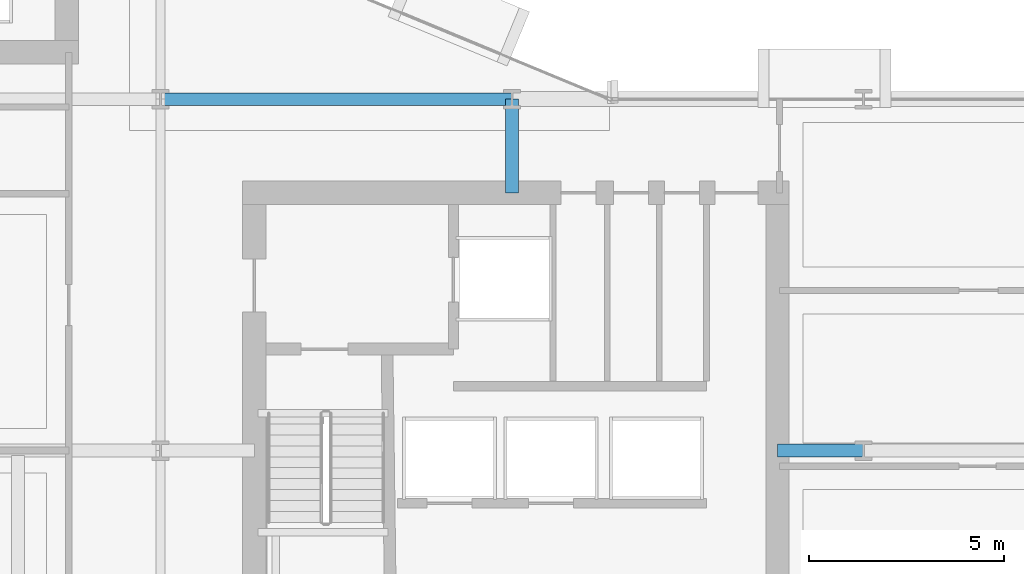
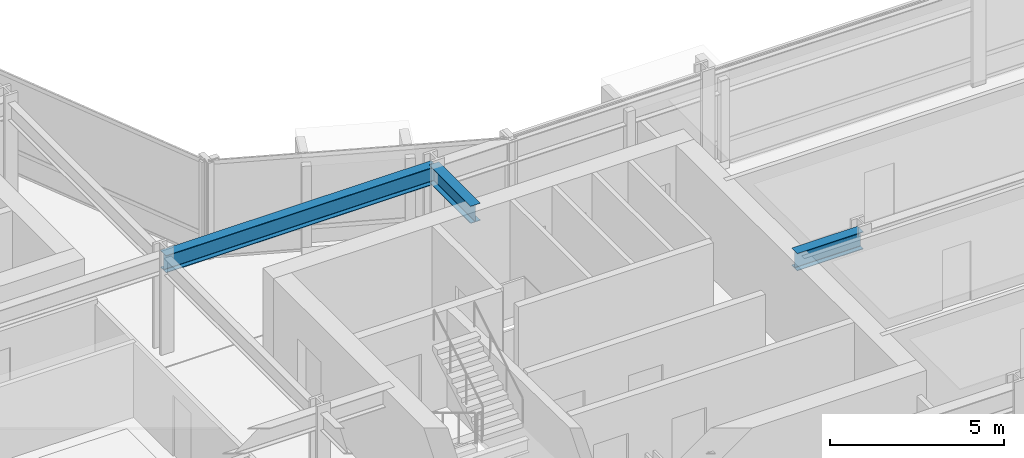
# One storey, part 14 of 34: 3 beams.
"""IFC4 building model written with IfcOpenShell, lengths in metres."""

from ifc_helpers import new_model, si_unit, direction, frame, origin, origin_2d, place, context, subcontext, project, spatial, i_section, extrude, material, material_profile, profile_set, type_object, element, save


model = new_model("IFC4")

# Units and contexts
model_context = context("Model", 3, precision=1e-05, world=origin(), true_north=direction((0.0, 1.0)))
body_context = subcontext(model_context, "Body", "Model", "MODEL_VIEW")
ifc_project = project(units=[si_unit("LENGTHUNIT", "METRE"), si_unit("AREAUNIT", "SQUARE_METRE"), si_unit("VOLUMEUNIT", "CUBIC_METRE"), si_unit("PLANEANGLEUNIT", "RADIAN"), si_unit("MASSUNIT", "GRAM", prefix="KILO")], contexts=[model_context])

# Site, building, storey
site_placement = place(None, origin())
site = spatial("IfcSite", under=ifc_project, at=site_placement, CompositionType="ELEMENT")
building_placement = place(site_placement, origin())
building = spatial("IfcBuilding", under=site, at=building_placement, Name="Solvaryn Broadcast Tower", CompositionType="ELEMENT")
storey_placement = place(building_placement, frame((0.0, 0.0, 54.5)))
storey = spatial("IfcBuildingStorey", under=building, at=storey_placement, Name="L12", CompositionType="ELEMENT", Elevation=54.5)

# Beams
ifc_material = material(Name="Steel ASTM A992 Grade 50", Category="steel")
ifc_material_profile = material_profile(ifc_material, i_section(OverallWidth=0.323974609375, OverallDepth=0.611083984375, WebThickness=0.0126953125, FlangeThickness=0.01904296875, FilletRadius=0.014892578125, at=origin_2d()))
ifc_profile_set = profile_set([ifc_material_profile], Name="Steel ASTM A992 Grade 50")
beam_type = type_object("IfcBeamType", Name="BM-B1-W24X104", PredefinedType="BEAM", material=ifc_profile_set)
beam_1_placement = place(storey_placement, frame((27.0, 27.0, 3.114501953125), z_axis=(1.0, 0.0, 0.0), x_axis=(0.0, 1.0, 0.0)))
element("IfcBeam", 1, at=beam_1_placement, inside=storey, type_object=beam_type, Name="L12 Primary Beam X (27-36 @ Y=27)", PredefinedType="BEAM", context=body_context, shape_type="SweptSolid", body=[
    extrude(i_section(OverallWidth=0.323974609375, OverallDepth=0.611083984375, WebThickness=0.0126953125, FlangeThickness=0.01904296875, FilletRadius=0.014892578125, at=origin_2d()), origin(), (0.0, 0.0, 1.0), 9.0),
])
beam_2_placement = place(storey_placement, frame((36.0, 24.60009765625, 3.114501953125), z_axis=(0.0, 1.0, 0.0), x_axis=(-1.0, 0.0, 0.0)))
element("IfcBeam", 2, at=beam_2_placement, inside=storey, type_object=beam_type, Name="L12 Core Tie Beam CTE2", PredefinedType="BEAM", context=body_context, shape_type="SweptSolid", body=[
    extrude(i_section(OverallWidth=0.323974609375, OverallDepth=0.611083984375, WebThickness=0.0126953125, FlangeThickness=0.01904296875, FilletRadius=0.014892578125, at=origin_2d()), origin(), (0.0, 0.0, 1.0), 2.39990234375),
])
beam_3_placement = place(storey_placement, frame((42.800048828125, 18.0, 3.114501953125), z_axis=(1.0, 0.0, 0.0), x_axis=(0.0, 1.0, 0.0)))
element("IfcBeam", 3, at=beam_3_placement, inside=storey, type_object=beam_type, Name="L12 Core Tie Beam CTE3", PredefinedType="BEAM", context=body_context, shape_type="SweptSolid", body=[
    extrude(i_section(OverallWidth=0.323974609375, OverallDepth=0.611083984375, WebThickness=0.0126953125, FlangeThickness=0.01904296875, FilletRadius=0.014892578125, at=origin_2d()), origin(), (0.0, 0.0, 1.0), 2.199951171875),
])

save(model, "model.ifc")
